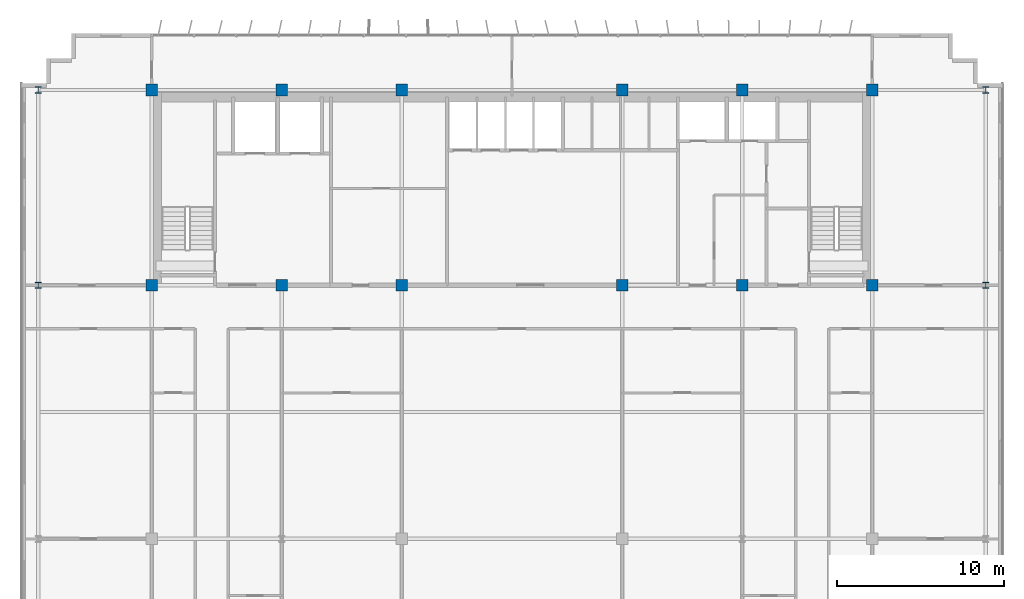
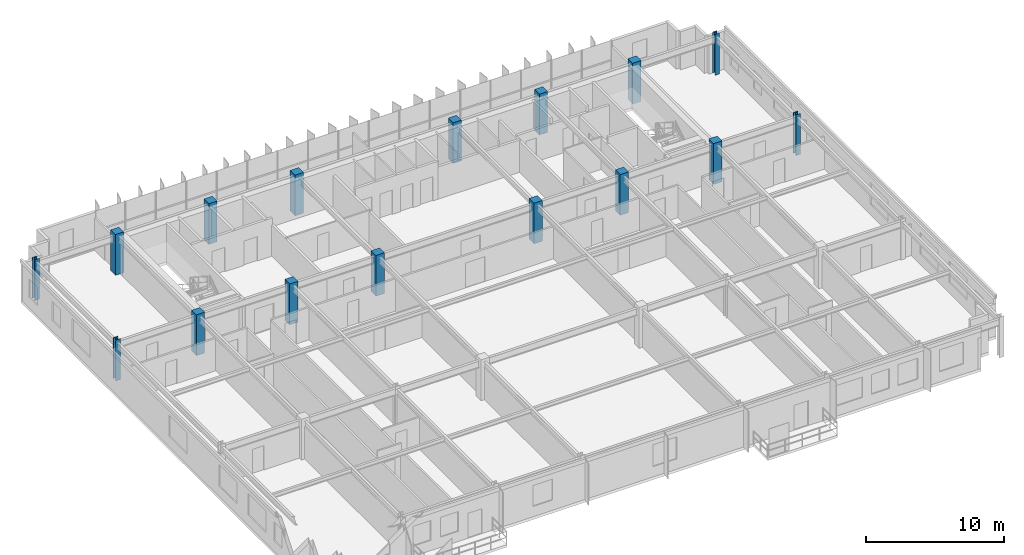
# One storey, part 2 of 20: 16 columns.
"""IFC4 building model written with IfcOpenShell, lengths in metres."""

from ifc_helpers import new_model, si_unit, direction, frame, origin, origin_2d, place, context, subcontext, project, spatial, rectangle, i_section, extrude, source, transform, mapped, material, material_profile, profile_set, type_object, element, save


model = new_model("IFC4")

# Units and contexts
model_context = context("Model", 3, precision=1e-05, world=origin(), true_north=direction((0.0, 1.0)))
body_context = subcontext(model_context, "Body", "Model", "MODEL_VIEW")
ifc_project = project(units=[si_unit("LENGTHUNIT", "METRE"), si_unit("AREAUNIT", "SQUARE_METRE"), si_unit("VOLUMEUNIT", "CUBIC_METRE"), si_unit("PLANEANGLEUNIT", "RADIAN"), si_unit("MASSUNIT", "GRAM", prefix="KILO")], contexts=[model_context])

# Site, building, storey
site_placement = place(None, origin())
site = spatial("IfcSite", under=ifc_project, at=site_placement, CompositionType="ELEMENT")
building_placement = place(site_placement, origin())
building = spatial("IfcBuilding", under=site, at=building_placement, Name="Trelvane Seafront Commons", CompositionType="ELEMENT")
storey_placement = place(building_placement, frame((0.0, 0.0, 146.5)))
storey = spatial("IfcBuildingStorey", under=building, at=storey_placement, Name="L38", CompositionType="ELEMENT", Elevation=146.5)

# Columns
ifc_material_1 = material(Name="Steel SM355 (S355)", Category="steel")
ifc_material_profile_1 = material_profile(ifc_material_1, i_section(OverallWidth=0.3798828125, OverallDepth=0.3798828125, WebThickness=0.02001953125, FlangeThickness=0.030029296875, at=origin_2d()), Name="HD-380x380x20x30")
ifc_profile_set_1 = profile_set([ifc_material_profile_1], Name="Steel SM355 (S355)")
column_type_1 = type_object("IfcColumnType", Name="STR-COL-HD380", PredefinedType="COLUMN", material=ifc_profile_set_1)
shared_shape_1 = source(origin(), body_context, "Body", "SweptSolid", [
    extrude(i_section(OverallWidth=0.3798828125, OverallDepth=0.3798828125, WebThickness=0.02001953125, FlangeThickness=0.030029296875, at=origin_2d()), origin(), (0.0, 0.0, 1.0), 3.60009765625),
])
for number, where, z_axis, x_axis, name in (
    (1, (8.800048828125, 33.39990234375, 0.0), (0.0, 0.0, 1.0), (1.0, 0.0, 0.0), "L38 Column TC-CS8.8"),
    (2, (8.800048828125, 45.10009765625, 0.0), (0.0, 0.0, 1.0), (1.0, 0.0, 0.0), "L38 Column TC-CN8.8"),
    (3, (65.60009765625, 33.39990234375, 0.0), (0.0, 0.0, 1.0), (1.0, 0.0, 0.0), "L38 Column TC-CS65.6"),
    (4, (65.60009765625, 45.10009765625, 0.0), (0.0, 0.0, 1.0), (1.0, 0.0, 0.0), "L38 Column TC-CN65.6"),
):
    element("IfcColumn", number, at=place(storey_placement, frame(where, z_axis=z_axis, x_axis=x_axis)), inside=storey, type_object=column_type_1, Name=name, PredefinedType="COLUMN", context=body_context, shape_type="MappedRepresentation", body=[
        mapped(shared_shape_1, transform((0.0, 0.0, 0.0), x_axis=(1.0, 0.0, 0.0), y_axis=(0.0, 1.0, 0.0), z_axis=(0.0, 0.0, 1.0), scale=1.0)),
    ])
ifc_material_2 = material(Name="Concrete C50/60", Category="concrete")
ifc_material_profile_2 = material_profile(ifc_material_2, rectangle(XDim=0.699951171875, YDim=0.699951171875, at=origin_2d()), Name="RC-700x700")
ifc_profile_set_2 = profile_set([ifc_material_profile_2], Name="Concrete C50/60")
column_type_2 = type_object("IfcColumnType", Name="STR-COL-RC700", PredefinedType="COLUMN", material=ifc_profile_set_2)
shared_shape_2 = source(origin(), body_context, "Body", "SweptSolid", [
    extrude(rectangle(XDim=0.699951171875, YDim=0.699951171875, at=origin_2d()), origin(), (0.0, 0.0, 1.0), 3.60009765625),
])
for number, where, z_axis, x_axis, name in (
    (5, (15.60009765625, 33.39990234375, 0.0), (0.0, 0.0, 1.0), (1.0, 0.0, 0.0), "L38 Column TC-CS15.6"),
    (6, (15.60009765625, 45.10009765625, 0.0), (0.0, 0.0, 1.0), (1.0, 0.0, 0.0), "L38 Column TC-CN15.6"),
    (7, (23.39990234375, 33.39990234375, 0.0), (0.0, 0.0, 1.0), (1.0, 0.0, 0.0), "L38 Column TC-CS23.4"),
    (8, (23.39990234375, 45.10009765625, 0.0), (0.0, 0.0, 1.0), (1.0, 0.0, 0.0), "L38 Column TC-CN23.4"),
    (9, (30.60009765625, 33.39990234375, 0.0), (0.0, 0.0, 1.0), (1.0, 0.0, 0.0), "L38 Column TC-CS30.6"),
    (10, (30.60009765625, 45.10009765625, 0.0), (0.0, 0.0, 1.0), (1.0, 0.0, 0.0), "L38 Column TC-CN30.6"),
    (11, (43.800048828125, 33.39990234375, 0.0), (0.0, 0.0, 1.0), (1.0, 0.0, 0.0), "L38 Column TC-CS43.8"),
    (12, (43.800048828125, 45.10009765625, 0.0), (0.0, 0.0, 1.0), (1.0, 0.0, 0.0), "L38 Column TC-CN43.8"),
    (13, (51.0, 33.39990234375, 0.0), (0.0, 0.0, 1.0), (1.0, 0.0, 0.0), "L38 Column TC-CS51.0"),
    (14, (51.0, 45.10009765625, 0.0), (0.0, 0.0, 1.0), (1.0, 0.0, 0.0), "L38 Column TC-CN51.0"),
    (15, (58.800048828125, 33.39990234375, 0.0), (0.0, 0.0, 1.0), (1.0, 0.0, 0.0), "L38 Column TC-CS58.8"),
    (16, (58.800048828125, 45.10009765625, 0.0), (0.0, 0.0, 1.0), (1.0, 0.0, 0.0), "L38 Column TC-CN58.8"),
):
    element("IfcColumn", number, at=place(storey_placement, frame(where, z_axis=z_axis, x_axis=x_axis)), inside=storey, type_object=column_type_2, Name=name, PredefinedType="COLUMN", context=body_context, shape_type="MappedRepresentation", body=[
        mapped(shared_shape_2, transform((0.0, 0.0, 0.0), x_axis=(1.0, 0.0, 0.0), y_axis=(0.0, 1.0, 0.0), z_axis=(0.0, 0.0, 1.0), scale=1.0)),
    ])

save(model, "model.ifc")
